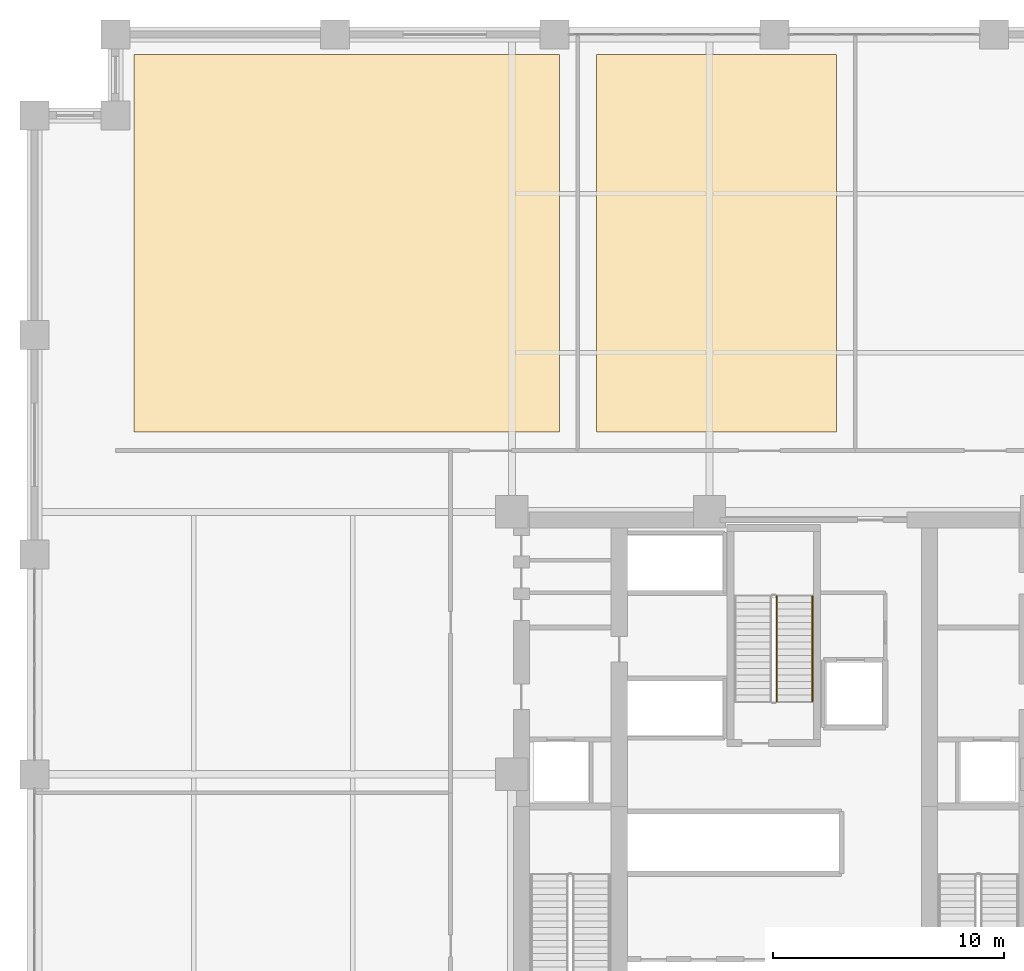
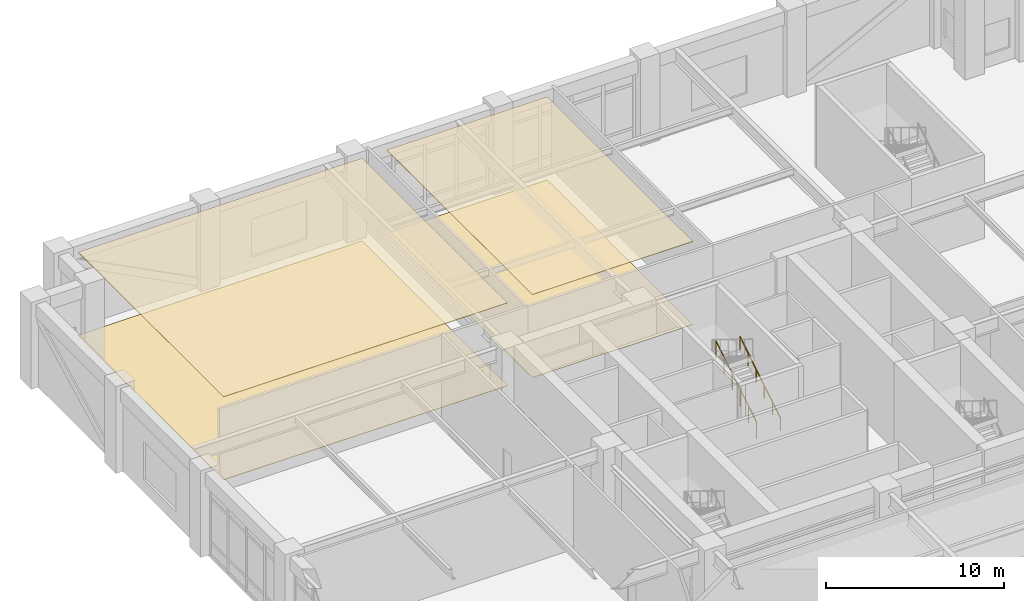
# One storey, part 20 of 21: 4 coverings, 2 railings.
"""IFC4 building model written with IfcOpenShell, lengths in metres."""

from ifc_helpers import new_model, si_unit, direction, frame, origin, origin_2d, place, context, subcontext, project, spatial, polyline, circle, outline, extrude, material, layer, layer_set, type_object, element, save


model = new_model("IFC4")

# Units and contexts
model_context = context("Model", 3, precision=1e-05, world=origin(), true_north=direction((0.0, 1.0)))
body_context = subcontext(model_context, "Body", "Model", "MODEL_VIEW")
ifc_project = project(units=[si_unit("LENGTHUNIT", "METRE"), si_unit("AREAUNIT", "SQUARE_METRE"), si_unit("VOLUMEUNIT", "CUBIC_METRE"), si_unit("PLANEANGLEUNIT", "RADIAN"), si_unit("MASSUNIT", "GRAM", prefix="KILO")], contexts=[model_context])

# Site, building, storey
site_placement = place(None, origin())
site = spatial("IfcSite", under=ifc_project, at=site_placement, CompositionType="ELEMENT")
building_placement = place(site_placement, origin())
building = spatial("IfcBuilding", under=site, at=building_placement, Name="Nhamokura Convention Tower", CompositionType="ELEMENT")
storey_placement = place(building_placement, frame((0.0, 0.0, 17.85009765625)))
storey = spatial("IfcBuildingStorey", under=building, at=storey_placement, Name="L03", CompositionType="ELEMENT", Elevation=17.85009765625)

# Coverings
ifc_material_1 = material(Name="Anodised bronze aluminium ceiling baffle", Category="aluminium")
ifc_layer_1 = layer(ifc_material_1, 0.0400390625)
ifc_layer_set_1 = layer_set([ifc_layer_1], Name="BronzeBaffleCeiling_40")
covering_type_1 = type_object("IfcCoveringType", Name="BronzeBaffleCeiling_40", PredefinedType="CEILING", material=ifc_layer_set_1)
covering_1_placement = place(storey_placement, frame((0.0, 0.0, 5.669921875)))
element("IfcCovering", 1, at=covering_1_placement, inside=storey, type_object=covering_type_1, Name="L03 Suspended Ceiling 05", PredefinedType="CEILING", context=body_context, shape_type="SweptSolid", body=[
    extrude(outline(polyline([(4.300048828125, 46.800048828125), (22.699951171875, 46.800048828125), (22.699951171875, 63.139892578125), (4.300048828125, 63.139892578125), (4.300048828125, 46.800048828125)])), origin(), (0.0, 0.0, 1.0), 0.0400390625),
])
covering_2_placement = place(storey_placement, frame((0.0, 0.0, 5.669921875)))
element("IfcCovering", 2, at=covering_2_placement, inside=storey, type_object=covering_type_1, Name="L03 Suspended Ceiling 06", PredefinedType="CEILING", context=body_context, shape_type="SweptSolid", body=[
    extrude(outline(polyline([(24.300048828125, 46.800048828125), (34.699951171875, 46.800048828125), (34.699951171875, 63.139892578125), (24.300048828125, 63.139892578125), (24.300048828125, 46.800048828125)])), origin(), (0.0, 0.0, 1.0), 0.0400390625),
])
ifc_material_2 = material(Name="Polished Sabana granite terrazzo", Category="masonry")
ifc_layer_2 = layer(ifc_material_2, 0.030029296875)
ifc_layer_set_2 = layer_set([ifc_layer_2], Name="SabanaTerrazzoFlooring_30")
covering_type_2 = type_object("IfcCoveringType", Name="SabanaTerrazzoFlooring_30", PredefinedType="FLOORING", material=ifc_layer_set_2)
covering_3_placement = place(storey_placement, origin())
element("IfcCovering", 3, at=covering_3_placement, inside=storey, type_object=covering_type_2, Name="L03 Finish Flooring 05", PredefinedType="FLOORING", context=body_context, shape_type="SweptSolid", body=[
    extrude(outline(polyline([(4.300048828125, 46.800048828125), (22.699951171875, 46.800048828125), (22.699951171875, 63.139892578125), (4.300048828125, 63.139892578125), (4.300048828125, 46.800048828125)])), origin(), (0.0, 0.0, 1.0), 0.02978515625),
])

# Railings
ifc_material_3 = material(Name="Anodised bronze stainless steel", Category="steel")
railing_type_1 = type_object("IfcRailingType", Name="StairWallHandrail_900", PredefinedType="HANDRAIL", material=ifc_material_3)
railing_1_placement = place(storey_placement, frame((33.64990234375, 35.14990234375, 0.1748046875)))
element("IfcRailing", 4, at=railing_1_placement, inside=storey, type_object=railing_type_1, Name="L03 ST-03 stair handrail 1", PredefinedType="HANDRAIL", context=body_context, shape_type="SweptSolid", body=[
    extrude(circle(Radius=0.02392578125, at=origin_2d()), frame((0.0, 0.0, 0.8759765625), z_axis=(0.0, 0.852170154964, 0.523264777133), x_axis=(-1.0, 0.0, 0.0)), (0.0, 0.0, 1.0), 5.35107421875),
    extrude(circle(Radius=0.02099609375, at=origin_2d()), origin(), (0.0, 0.0, 1.0), 0.851806640625),
    extrude(circle(Radius=0.02099609375, at=origin_2d()), frame((0.0, 0.912109375, 0.56005859375)), (0.0, 0.0, 1.0), 0.851806640625),
    extrude(circle(Radius=0.02099609375, at=origin_2d()), frame((0.0, 1.823974609375, 1.1201171875)), (0.0, 0.0, 1.0), 0.851806640625),
    extrude(circle(Radius=0.02099609375, at=origin_2d()), frame((0.0, 2.736083984375, 1.679931640625)), (0.0, 0.0, 1.0), 0.851806640625),
    extrude(circle(Radius=0.02099609375, at=origin_2d()), frame((0.0, 3.64794921875, 2.239990234375)), (0.0, 0.0, 1.0), 0.851806640625),
    extrude(circle(Radius=0.02099609375, at=origin_2d()), frame((0.0, 4.56005859375, 2.800048828125)), (0.0, 0.0, 1.0), 0.851806640625),
])
ifc_material_4 = material(Name="Painted tubular steel", Category="steel")
railing_type_2 = type_object("IfcRailingType", Name="StairWellGuardrail_1150", PredefinedType="GUARDRAIL", material=ifc_material_4)
railing_2_placement = place(storey_placement, frame((32.10009765625, 35.14990234375, 0.1748046875)))
element("IfcRailing", 5, at=railing_2_placement, inside=storey, type_object=railing_type_2, Name="L03 ST-03 stair guard 1", PredefinedType="GUARDRAIL", context=body_context, shape_type="SweptSolid", body=[
    extrude(circle(Radius=0.02392578125, at=origin_2d()), frame((0.0, 0.0, 1.1259765625), z_axis=(0.0, 0.852170154964, 0.523264777133), x_axis=(-1.0, 0.0, 0.0)), (0.0, 0.0, 1.0), 5.35107421875),
    extrude(circle(Radius=0.02099609375, at=origin_2d()), origin(), (0.0, 0.0, 1.0), 1.101806640625),
    extrude(circle(Radius=0.02099609375, at=origin_2d()), frame((0.0, 0.912109375, 0.56005859375)), (0.0, 0.0, 1.0), 1.101806640625),
    extrude(circle(Radius=0.02099609375, at=origin_2d()), frame((0.0, 1.823974609375, 1.1201171875)), (0.0, 0.0, 1.0), 1.101806640625),
    extrude(circle(Radius=0.02099609375, at=origin_2d()), frame((0.0, 2.736083984375, 1.679931640625)), (0.0, 0.0, 1.0), 1.101806640625),
    extrude(circle(Radius=0.02099609375, at=origin_2d()), frame((0.0, 3.64794921875, 2.239990234375)), (0.0, 0.0, 1.0), 1.101806640625),
    extrude(circle(Radius=0.02099609375, at=origin_2d()), frame((0.0, 4.56005859375, 2.800048828125)), (0.0, 0.0, 1.0), 1.101806640625),
])

# Covering
ifc_material_5 = material(Name="Acoustic woven hospitality carpet", Category="wood")
ifc_layer_3 = layer(ifc_material_5, 0.014892578125)
ifc_layer_set_3 = layer_set([ifc_layer_3], Name="WovenCarpetFlooring_15")
covering_type_3 = type_object("IfcCoveringType", Name="WovenCarpetFlooring_15", PredefinedType="FLOORING", material=ifc_layer_set_3)
covering_4_placement = place(storey_placement, origin())
element("IfcCovering", 6, at=covering_4_placement, inside=storey, type_object=covering_type_3, Name="L03 Finish Flooring 06", PredefinedType="FLOORING", context=body_context, shape_type="SweptSolid", body=[
    extrude(outline(polyline([(24.300048828125, 46.800048828125), (34.699951171875, 46.800048828125), (34.699951171875, 63.139892578125), (24.300048828125, 63.139892578125), (24.300048828125, 46.800048828125)])), origin(), (0.0, 0.0, 1.0), 0.014892578125),
])

save(model, "model.ifc")
